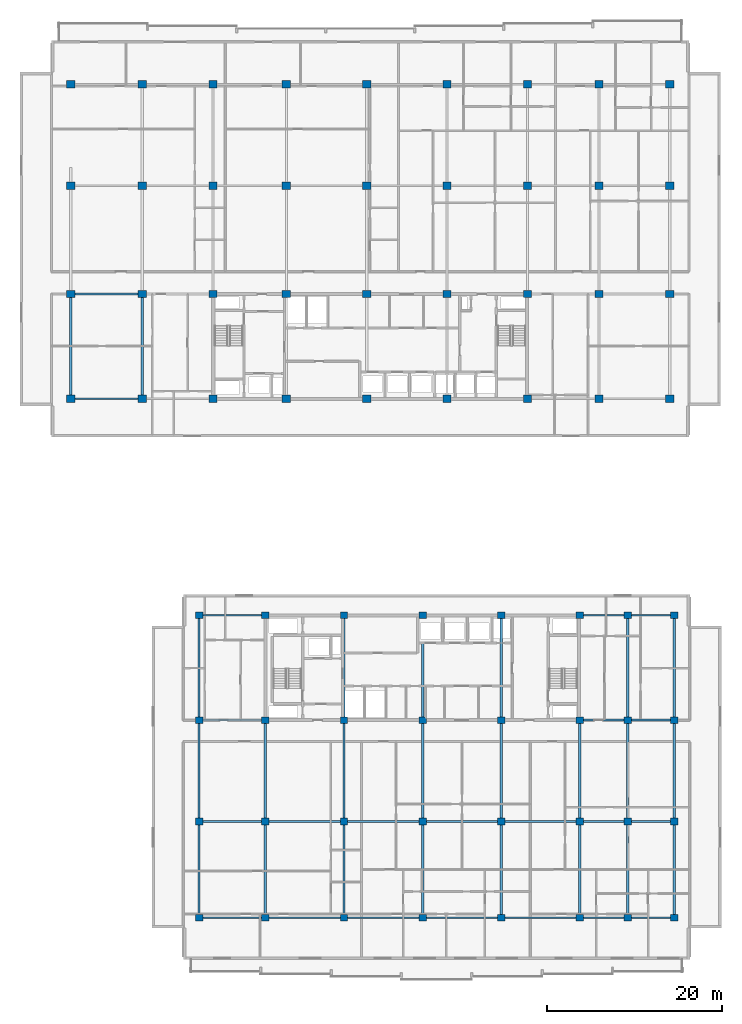
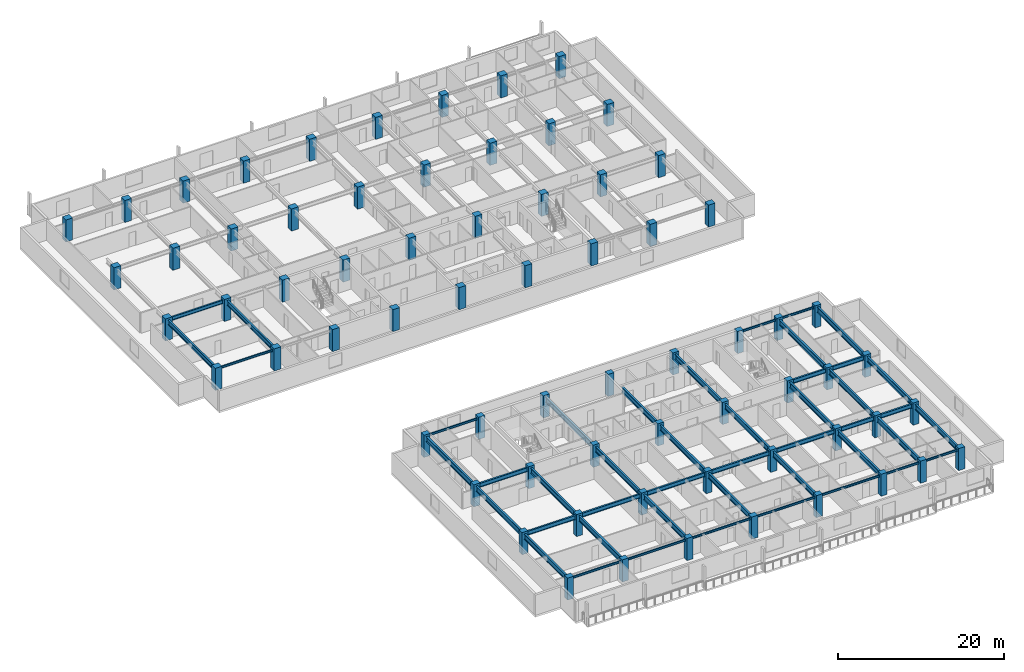
# One storey, part 1 of 21: 68 columns, 46 beams.
"""IFC4 building model written with IfcOpenShell, lengths in metres."""

from ifc_helpers import new_model, si_unit, direction, frame, origin, origin_2d, place, context, subcontext, project, spatial, rectangle, i_section, extrude, material, material_profile, profile_set, type_object, element, save


model = new_model("IFC4")

# Units and contexts
model_context = context("Model", 3, precision=1e-05, world=origin(), true_north=direction((0.0, 1.0)))
body_context = subcontext(model_context, "Body", "Model", "MODEL_VIEW")
ifc_project = project(units=[si_unit("LENGTHUNIT", "METRE"), si_unit("AREAUNIT", "SQUARE_METRE"), si_unit("VOLUMEUNIT", "CUBIC_METRE"), si_unit("PLANEANGLEUNIT", "RADIAN"), si_unit("MASSUNIT", "GRAM", prefix="KILO")], contexts=[model_context])

# Site, building, storey
site_placement = place(None, origin())
site = spatial("IfcSite", under=ifc_project, at=site_placement, CompositionType="ELEMENT")
building_placement = place(site_placement, origin())
building = spatial("IfcBuilding", under=site, at=building_placement, Name="Korimba Cascade Residences", CompositionType="ELEMENT")
storey_placement = place(building_placement, frame((0.0, 0.0, 116.550048828125)))
storey = spatial("IfcBuildingStorey", under=building, at=storey_placement, Name="L33", CompositionType="ELEMENT", Elevation=116.550048828125)

# Columns
ifc_material_1 = material(Name="Concrete C65/80", Category="concrete")
ifc_material_profile_1 = material_profile(ifc_material_1, rectangle(XDim=0.85009765625, YDim=0.75, at=origin_2d()), Name="Concrete C65/80")
ifc_profile_set_1 = profile_set([ifc_material_profile_1], Name="Concrete C65/80")
column_type_1 = type_object("IfcColumnType", Name="COL-RC-850", PredefinedType="COLUMN", material=ifc_profile_set_1)
for number, where, z_axis, x_axis, name in (
    (1, (74.5, -4.199951171875, 0.0), (0.0, 0.0, 1.0), (1.0, 0.0, 0.0), "L33 Tower 2 Column 1.1"),
    (2, (74.5, 6.800048828125, 0.0), (0.0, 0.0, 1.0), (1.0, 0.0, 0.0), "L33 Tower 2 Column 1.2"),
    (3, (74.5, 18.39990234375, 0.0), (0.0, 0.0, 1.0), (1.0, 0.0, 0.0), "L33 Tower 2 Column 1.3"),
    (4, (74.5, 30.39990234375, 0.0), (0.0, 0.0, 1.0), (1.0, 0.0, 0.0), "L33 Tower 2 Column 1.4"),
    (5, (82.10009765625, -4.199951171875, 0.0), (0.0, 0.0, 1.0), (1.0, 0.0, 0.0), "L33 Tower 2 Column 2.1"),
    (6, (82.10009765625, 6.800048828125, 0.0), (0.0, 0.0, 1.0), (1.0, 0.0, 0.0), "L33 Tower 2 Column 2.2"),
    (7, (82.10009765625, 18.39990234375, 0.0), (0.0, 0.0, 1.0), (1.0, 0.0, 0.0), "L33 Tower 2 Column 2.3"),
    (8, (82.10009765625, 30.39990234375, 0.0), (0.0, 0.0, 1.0), (1.0, 0.0, 0.0), "L33 Tower 2 Column 2.4"),
    (9, (91.10009765625, -4.199951171875, 0.0), (0.0, 0.0, 1.0), (1.0, 0.0, 0.0), "L33 Tower 2 Column 3.1"),
    (10, (91.10009765625, 6.800048828125, 0.0), (0.0, 0.0, 1.0), (1.0, 0.0, 0.0), "L33 Tower 2 Column 3.2"),
    (11, (91.10009765625, 18.39990234375, 0.0), (0.0, 0.0, 1.0), (1.0, 0.0, 0.0), "L33 Tower 2 Column 3.3"),
    (12, (91.10009765625, 30.39990234375, 0.0), (0.0, 0.0, 1.0), (1.0, 0.0, 0.0), "L33 Tower 2 Column 3.4"),
    (13, (100.10009765625, -4.199951171875, 0.0), (0.0, 0.0, 1.0), (1.0, 0.0, 0.0), "L33 Tower 2 Column 4.1"),
    (14, (100.10009765625, 6.800048828125, 0.0), (0.0, 0.0, 1.0), (1.0, 0.0, 0.0), "L33 Tower 2 Column 4.2"),
    (15, (100.10009765625, 18.39990234375, 0.0), (0.0, 0.0, 1.0), (1.0, 0.0, 0.0), "L33 Tower 2 Column 4.3"),
    (16, (100.10009765625, 30.39990234375, 0.0), (0.0, 0.0, 1.0), (1.0, 0.0, 0.0), "L33 Tower 2 Column 4.4"),
    (17, (109.10009765625, -4.199951171875, 0.0), (0.0, 0.0, 1.0), (1.0, 0.0, 0.0), "L33 Tower 2 Column 5.1"),
    (18, (109.10009765625, 6.800048828125, 0.0), (0.0, 0.0, 1.0), (1.0, 0.0, 0.0), "L33 Tower 2 Column 5.2"),
    (19, (109.10009765625, 18.39990234375, 0.0), (0.0, 0.0, 1.0), (1.0, 0.0, 0.0), "L33 Tower 2 Column 5.3"),
    (20, (109.10009765625, 30.39990234375, 0.0), (0.0, 0.0, 1.0), (1.0, 0.0, 0.0), "L33 Tower 2 Column 5.4"),
    (21, (118.10009765625, -4.199951171875, 0.0), (0.0, 0.0, 1.0), (1.0, 0.0, 0.0), "L33 Tower 2 Column 6.1"),
    (22, (118.10009765625, 6.800048828125, 0.0), (0.0, 0.0, 1.0), (1.0, 0.0, 0.0), "L33 Tower 2 Column 6.2"),
    (23, (118.10009765625, 18.39990234375, 0.0), (0.0, 0.0, 1.0), (1.0, 0.0, 0.0), "L33 Tower 2 Column 6.3"),
    (24, (118.10009765625, 30.39990234375, 0.0), (0.0, 0.0, 1.0), (1.0, 0.0, 0.0), "L33 Tower 2 Column 6.4"),
    (25, (123.60009765625, -4.199951171875, 0.0), (0.0, 0.0, 1.0), (1.0, 0.0, 0.0), "L33 Tower 2 Column 7.1"),
    (26, (123.60009765625, 6.800048828125, 0.0), (0.0, 0.0, 1.0), (1.0, 0.0, 0.0), "L33 Tower 2 Column 7.2"),
    (27, (123.60009765625, 18.39990234375, 0.0), (0.0, 0.0, 1.0), (1.0, 0.0, 0.0), "L33 Tower 2 Column 7.3"),
    (28, (123.60009765625, 30.39990234375, 0.0), (0.0, 0.0, 1.0), (1.0, 0.0, 0.0), "L33 Tower 2 Column 7.4"),
    (29, (128.89990234375, -4.199951171875, 0.0), (0.0, 0.0, 1.0), (1.0, 0.0, 0.0), "L33 Tower 2 Column 8.1"),
    (30, (128.89990234375, 6.800048828125, 0.0), (0.0, 0.0, 1.0), (1.0, 0.0, 0.0), "L33 Tower 2 Column 8.2"),
    (31, (128.89990234375, 18.39990234375, 0.0), (0.0, 0.0, 1.0), (1.0, 0.0, 0.0), "L33 Tower 2 Column 8.3"),
    (32, (128.89990234375, 30.39990234375, 0.0), (0.0, 0.0, 1.0), (1.0, 0.0, 0.0), "L33 Tower 2 Column 8.4"),
):
    element("IfcColumn", number, at=place(storey_placement, frame(where, z_axis=z_axis, x_axis=x_axis)), inside=storey, type_object=column_type_1, Name=name, PredefinedType="COLUMN", context=body_context, shape_type="SweptSolid", body=[
        extrude(rectangle(XDim=0.85009765625, YDim=0.75, at=origin_2d()), origin(), (0.0, 0.0, 1.0), 3.25),
    ])
ifc_material_profile_2 = material_profile(ifc_material_1, rectangle(XDim=0.949951171875, YDim=0.85009765625, at=origin_2d()), Name="Concrete C65/80")
ifc_profile_set_2 = profile_set([ifc_material_profile_2], Name="Concrete C65/80")
column_type_2 = type_object("IfcColumnType", Name="COL-RC-950", PredefinedType="COLUMN", material=ifc_profile_set_2)
for number, where, z_axis, x_axis, name in (
    (33, (59.800048828125, 55.199951171875, 0.0), (0.0, 0.0, 1.0), (1.0, 0.0, 0.0), "L33 Tower 1 Column 1.1"),
    (34, (59.800048828125, 67.199951171875, 0.0), (0.0, 0.0, 1.0), (1.0, 0.0, 0.0), "L33 Tower 1 Column 1.2"),
    (35, (59.800048828125, 79.60009765625, 0.0), (0.0, 0.0, 1.0), (1.0, 0.0, 0.0), "L33 Tower 1 Column 1.3"),
    (36, (59.800048828125, 91.199951171875, 0.0), (0.0, 0.0, 1.0), (1.0, 0.0, 0.0), "L33 Tower 1 Column 1.4"),
    (37, (68.0, 55.199951171875, 0.0), (0.0, 0.0, 1.0), (1.0, 0.0, 0.0), "L33 Tower 1 Column 2.1"),
    (38, (68.0, 67.199951171875, 0.0), (0.0, 0.0, 1.0), (1.0, 0.0, 0.0), "L33 Tower 1 Column 2.2"),
    (39, (68.0, 79.60009765625, 0.0), (0.0, 0.0, 1.0), (1.0, 0.0, 0.0), "L33 Tower 1 Column 2.3"),
    (40, (68.0, 91.199951171875, 0.0), (0.0, 0.0, 1.0), (1.0, 0.0, 0.0), "L33 Tower 1 Column 2.4"),
    (41, (76.10009765625, 55.199951171875, 0.0), (0.0, 0.0, 1.0), (1.0, 0.0, 0.0), "L33 Tower 1 Column 3.1"),
    (42, (76.10009765625, 67.199951171875, 0.0), (0.0, 0.0, 1.0), (1.0, 0.0, 0.0), "L33 Tower 1 Column 3.2"),
    (43, (76.10009765625, 79.60009765625, 0.0), (0.0, 0.0, 1.0), (1.0, 0.0, 0.0), "L33 Tower 1 Column 3.3"),
    (44, (76.10009765625, 91.199951171875, 0.0), (0.0, 0.0, 1.0), (1.0, 0.0, 0.0), "L33 Tower 1 Column 3.4"),
    (45, (84.5, 55.199951171875, 0.0), (0.0, 0.0, 1.0), (1.0, 0.0, 0.0), "L33 Tower 1 Column 4.1"),
    (46, (84.5, 67.199951171875, 0.0), (0.0, 0.0, 1.0), (1.0, 0.0, 0.0), "L33 Tower 1 Column 4.2"),
    (47, (84.5, 79.60009765625, 0.0), (0.0, 0.0, 1.0), (1.0, 0.0, 0.0), "L33 Tower 1 Column 4.3"),
    (48, (84.5, 91.199951171875, 0.0), (0.0, 0.0, 1.0), (1.0, 0.0, 0.0), "L33 Tower 1 Column 4.4"),
    (49, (93.699951171875, 55.199951171875, 0.0), (0.0, 0.0, 1.0), (1.0, 0.0, 0.0), "L33 Tower 1 Column 5.1"),
    (50, (93.699951171875, 67.199951171875, 0.0), (0.0, 0.0, 1.0), (1.0, 0.0, 0.0), "L33 Tower 1 Column 5.2"),
    (51, (93.699951171875, 79.60009765625, 0.0), (0.0, 0.0, 1.0), (1.0, 0.0, 0.0), "L33 Tower 1 Column 5.3"),
    (52, (93.699951171875, 91.199951171875, 0.0), (0.0, 0.0, 1.0), (1.0, 0.0, 0.0), "L33 Tower 1 Column 5.4"),
    (53, (102.89990234375, 55.199951171875, 0.0), (0.0, 0.0, 1.0), (1.0, 0.0, 0.0), "L33 Tower 1 Column 6.1"),
    (54, (102.89990234375, 67.199951171875, 0.0), (0.0, 0.0, 1.0), (1.0, 0.0, 0.0), "L33 Tower 1 Column 6.2"),
    (55, (102.89990234375, 79.60009765625, 0.0), (0.0, 0.0, 1.0), (1.0, 0.0, 0.0), "L33 Tower 1 Column 6.3"),
    (56, (102.89990234375, 91.199951171875, 0.0), (0.0, 0.0, 1.0), (1.0, 0.0, 0.0), "L33 Tower 1 Column 6.4"),
    (57, (112.10009765625, 55.199951171875, 0.0), (0.0, 0.0, 1.0), (1.0, 0.0, 0.0), "L33 Tower 1 Column 7.1"),
    (58, (112.10009765625, 67.199951171875, 0.0), (0.0, 0.0, 1.0), (1.0, 0.0, 0.0), "L33 Tower 1 Column 7.2"),
    (59, (112.10009765625, 79.60009765625, 0.0), (0.0, 0.0, 1.0), (1.0, 0.0, 0.0), "L33 Tower 1 Column 7.3"),
    (60, (112.10009765625, 91.199951171875, 0.0), (0.0, 0.0, 1.0), (1.0, 0.0, 0.0), "L33 Tower 1 Column 7.4"),
    (61, (120.300048828125, 55.199951171875, 0.0), (0.0, 0.0, 1.0), (1.0, 0.0, 0.0), "L33 Tower 1 Column 8.1"),
    (62, (120.300048828125, 67.199951171875, 0.0), (0.0, 0.0, 1.0), (1.0, 0.0, 0.0), "L33 Tower 1 Column 8.2"),
    (63, (120.300048828125, 79.60009765625, 0.0), (0.0, 0.0, 1.0), (1.0, 0.0, 0.0), "L33 Tower 1 Column 8.3"),
    (64, (120.300048828125, 91.199951171875, 0.0), (0.0, 0.0, 1.0), (1.0, 0.0, 0.0), "L33 Tower 1 Column 8.4"),
    (65, (128.39990234375, 55.199951171875, 0.0), (0.0, 0.0, 1.0), (1.0, 0.0, 0.0), "L33 Tower 1 Column 9.1"),
    (66, (128.39990234375, 67.199951171875, 0.0), (0.0, 0.0, 1.0), (1.0, 0.0, 0.0), "L33 Tower 1 Column 9.2"),
    (67, (128.39990234375, 79.60009765625, 0.0), (0.0, 0.0, 1.0), (1.0, 0.0, 0.0), "L33 Tower 1 Column 9.3"),
    (68, (128.39990234375, 91.199951171875, 0.0), (0.0, 0.0, 1.0), (1.0, 0.0, 0.0), "L33 Tower 1 Column 9.4"),
):
    element("IfcColumn", number, at=place(storey_placement, frame(where, z_axis=z_axis, x_axis=x_axis)), inside=storey, type_object=column_type_2, Name=name, PredefinedType="COLUMN", context=body_context, shape_type="SweptSolid", body=[
        extrude(rectangle(XDim=0.949951171875, YDim=0.85009765625, at=origin_2d()), origin(), (0.0, 0.0, 1.0), 3.25),
    ])

# Beams
ifc_material_2 = material(Name="Steel S355", Category="steel")
ifc_material_profile_3 = material_profile(ifc_material_2, i_section(OverallWidth=0.165771484375, OverallDepth=0.306640625, WebThickness=0.006591796875, FlangeThickness=0.01171875, FilletRadius=0.0087890625, at=origin_2d()), Name="Steel S355")
ifc_profile_set_3 = profile_set([ifc_material_profile_3], Name="Steel S355")
beam_type_1 = type_object("IfcBeamType", Name="BM-STL-UB305", PredefinedType="SPANDREL", material=ifc_profile_set_3)
beam_1_placement = place(storey_placement, frame((60.27490234375, 55.199951171875, 2.816650390625), z_axis=(1.0, 0.0, 0.0), x_axis=(0.0, 1.0, 0.0)))
element("IfcBeam", 69, at=beam_1_placement, inside=storey, type_object=beam_type_1, Name="L33 T1 E-W Girder Y1 Bay 1", PredefinedType="SPANDREL", context=body_context, shape_type="SweptSolid", body=[
    extrude(i_section(OverallWidth=0.165771484375, OverallDepth=0.306640625, WebThickness=0.006591796875, FlangeThickness=0.01171875, FilletRadius=0.0087890625, at=origin_2d()), origin(), (0.0, 0.0, 1.0), 7.25),
])
beam_2_placement = place(storey_placement, frame((74.925048828125, -4.199951171875, 2.816650390625), z_axis=(1.0, 0.0, 0.0), x_axis=(0.0, 1.0, 0.0)))
element("IfcBeam", 70, at=beam_2_placement, inside=storey, type_object=beam_type_1, Name="L33 T2 E-W Girder Y1 Bay 1", PredefinedType="SPANDREL", context=body_context, shape_type="SweptSolid", body=[
    extrude(i_section(OverallWidth=0.165771484375, OverallDepth=0.306640625, WebThickness=0.006591796875, FlangeThickness=0.01171875, FilletRadius=0.0087890625, at=origin_2d()), origin(), (0.0, 0.0, 1.0), 6.75),
])
for number, where, z_axis, x_axis, name in (
    (71, (82.52490234375, -4.199951171875, 2.816650390625), (1.0, 0.0, 0.0), (0.0, 1.0, 0.0), "L33 T2 E-W Girder Y1 Bay 2"),
    (72, (91.52490234375, -4.199951171875, 2.816650390625), (1.0, 0.0, 0.0), (0.0, 1.0, 0.0), "L33 T2 E-W Girder Y1 Bay 3"),
    (73, (100.52490234375, -4.199951171875, 2.816650390625), (1.0, 0.0, 0.0), (0.0, 1.0, 0.0), "L33 T2 E-W Girder Y1 Bay 4"),
    (74, (109.52490234375, -4.199951171875, 2.816650390625), (1.0, 0.0, 0.0), (0.0, 1.0, 0.0), "L33 T2 E-W Girder Y1 Bay 5"),
):
    element("IfcBeam", number, at=place(storey_placement, frame(where, z_axis=z_axis, x_axis=x_axis)), inside=storey, type_object=beam_type_1, Name=name, PredefinedType="SPANDREL", context=body_context, shape_type="SweptSolid", body=[
        extrude(i_section(OverallWidth=0.165771484375, OverallDepth=0.306640625, WebThickness=0.006591796875, FlangeThickness=0.01171875, FilletRadius=0.0087890625, at=origin_2d()), origin(), (0.0, 0.0, 1.0), 8.150146484375),
    ])
beam_3_placement = place(storey_placement, frame((118.52490234375, -4.199951171875, 2.816650390625), z_axis=(1.0, 0.0, 0.0), x_axis=(0.0, 1.0, 0.0)))
element("IfcBeam", 75, at=beam_3_placement, inside=storey, type_object=beam_type_1, Name="L33 T2 E-W Girder Y1 Bay 6", PredefinedType="SPANDREL", context=body_context, shape_type="SweptSolid", body=[
    extrude(i_section(OverallWidth=0.165771484375, OverallDepth=0.306640625, WebThickness=0.006591796875, FlangeThickness=0.01171875, FilletRadius=0.0087890625, at=origin_2d()), origin(), (0.0, 0.0, 1.0), 4.650146484375),
])
beam_4_placement = place(storey_placement, frame((124.02490234375, -4.199951171875, 2.816650390625), z_axis=(1.0, 0.0, 0.0), x_axis=(0.0, 1.0, 0.0)))
element("IfcBeam", 76, at=beam_4_placement, inside=storey, type_object=beam_type_1, Name="L33 T2 E-W Girder Y1 Bay 7", PredefinedType="SPANDREL", context=body_context, shape_type="SweptSolid", body=[
    extrude(i_section(OverallWidth=0.165771484375, OverallDepth=0.306640625, WebThickness=0.006591796875, FlangeThickness=0.01171875, FilletRadius=0.0087890625, at=origin_2d()), origin(), (0.0, 0.0, 1.0), 4.4501953125),
])
beam_5_placement = place(storey_placement, frame((74.925048828125, 30.39990234375, 2.816650390625), z_axis=(1.0, 0.0, 0.0), x_axis=(0.0, 1.0, 0.0)))
element("IfcBeam", 77, at=beam_5_placement, inside=storey, type_object=beam_type_1, Name="L33 T2 E-W Girder Y4 Bay 1", PredefinedType="SPANDREL", context=body_context, shape_type="SweptSolid", body=[
    extrude(i_section(OverallWidth=0.165771484375, OverallDepth=0.306640625, WebThickness=0.006591796875, FlangeThickness=0.01171875, FilletRadius=0.0087890625, at=origin_2d()), origin(), (0.0, 0.0, 1.0), 6.75),
])
beam_6_placement = place(storey_placement, frame((118.52490234375, 30.39990234375, 2.816650390625), z_axis=(1.0, 0.0, 0.0), x_axis=(0.0, 1.0, 0.0)))
element("IfcBeam", 78, at=beam_6_placement, inside=storey, type_object=beam_type_1, Name="L33 T2 E-W Girder Y4 Bay 6", PredefinedType="SPANDREL", context=body_context, shape_type="SweptSolid", body=[
    extrude(i_section(OverallWidth=0.165771484375, OverallDepth=0.306640625, WebThickness=0.006591796875, FlangeThickness=0.01171875, FilletRadius=0.0087890625, at=origin_2d()), origin(), (0.0, 0.0, 1.0), 4.650146484375),
])
beam_7_placement = place(storey_placement, frame((124.02490234375, 30.39990234375, 2.816650390625), z_axis=(1.0, 0.0, 0.0), x_axis=(0.0, 1.0, 0.0)))
element("IfcBeam", 79, at=beam_7_placement, inside=storey, type_object=beam_type_1, Name="L33 T2 E-W Girder Y4 Bay 7", PredefinedType="SPANDREL", context=body_context, shape_type="SweptSolid", body=[
    extrude(i_section(OverallWidth=0.165771484375, OverallDepth=0.306640625, WebThickness=0.006591796875, FlangeThickness=0.01171875, FilletRadius=0.0087890625, at=origin_2d()), origin(), (0.0, 0.0, 1.0), 4.4501953125),
])
ifc_material_profile_4 = material_profile(ifc_material_2, i_section(OverallWidth=0.2099609375, OverallDepth=0.53662109375, WebThickness=0.0107421875, FlangeThickness=0.017333984375, FilletRadius=0.0126953125, at=origin_2d()), Name="Steel S355")
ifc_profile_set_4 = profile_set([ifc_material_profile_4], Name="Steel S355")
beam_type_2 = type_object("IfcBeamType", Name="BM-STL-UB533", PredefinedType="BEAM", material=ifc_profile_set_4)
beam_8_placement = place(storey_placement, frame((60.27490234375, 67.199951171875, 2.70166015625), z_axis=(1.0, 0.0, 0.0), x_axis=(0.0, 1.0, 0.0)))
element("IfcBeam", 80, at=beam_8_placement, inside=storey, type_object=beam_type_2, Name="L33 T1 E-W Girder Y2 Bay 1", PredefinedType="BEAM", context=body_context, shape_type="SweptSolid", body=[
    extrude(i_section(OverallWidth=0.2099609375, OverallDepth=0.53662109375, WebThickness=0.0107421875, FlangeThickness=0.017333984375, FilletRadius=0.0126953125, at=origin_2d()), origin(), (0.0, 0.0, 1.0), 7.25),
])
ifc_material_profile_5 = material_profile(ifc_material_2, i_section(OverallWidth=0.22900390625, OverallDepth=0.6123046875, WebThickness=0.011962890625, FlangeThickness=0.01953125, FilletRadius=0.0126953125, at=origin_2d()), Name="Steel S355")
ifc_profile_set_5 = profile_set([ifc_material_profile_5], Name="Steel S355")
beam_type_3 = type_object("IfcBeamType", Name="BM-STL-UB610B", PredefinedType="BEAM", material=ifc_profile_set_5)
beam_9_placement = place(storey_placement, frame((74.925048828125, 6.800048828125, 2.663818359375), z_axis=(1.0, 0.0, 0.0), x_axis=(0.0, 1.0, 0.0)))
element("IfcBeam", 81, at=beam_9_placement, inside=storey, type_object=beam_type_3, Name="L33 T2 E-W Girder Y2 Bay 1", PredefinedType="BEAM", context=body_context, shape_type="SweptSolid", body=[
    extrude(i_section(OverallWidth=0.22900390625, OverallDepth=0.6123046875, WebThickness=0.011962890625, FlangeThickness=0.01953125, FilletRadius=0.0126953125, at=origin_2d()), origin(), (0.0, 0.0, 1.0), 6.75),
])
for number, where, z_axis, x_axis, name in (
    (82, (82.52490234375, 6.800048828125, 2.663818359375), (1.0, 0.0, 0.0), (0.0, 1.0, 0.0), "L33 T2 E-W Girder Y2 Bay 2"),
    (83, (91.52490234375, 6.800048828125, 2.663818359375), (1.0, 0.0, 0.0), (0.0, 1.0, 0.0), "L33 T2 E-W Girder Y2 Bay 3"),
    (84, (100.52490234375, 6.800048828125, 2.663818359375), (1.0, 0.0, 0.0), (0.0, 1.0, 0.0), "L33 T2 E-W Girder Y2 Bay 4"),
    (85, (109.52490234375, 6.800048828125, 2.663818359375), (1.0, 0.0, 0.0), (0.0, 1.0, 0.0), "L33 T2 E-W Girder Y2 Bay 5"),
):
    element("IfcBeam", number, at=place(storey_placement, frame(where, z_axis=z_axis, x_axis=x_axis)), inside=storey, type_object=beam_type_3, Name=name, PredefinedType="BEAM", context=body_context, shape_type="SweptSolid", body=[
        extrude(i_section(OverallWidth=0.22900390625, OverallDepth=0.6123046875, WebThickness=0.011962890625, FlangeThickness=0.01953125, FilletRadius=0.0126953125, at=origin_2d()), origin(), (0.0, 0.0, 1.0), 8.150146484375),
    ])
beam_10_placement = place(storey_placement, frame((118.52490234375, 6.800048828125, 2.663818359375), z_axis=(1.0, 0.0, 0.0), x_axis=(0.0, 1.0, 0.0)))
element("IfcBeam", 86, at=beam_10_placement, inside=storey, type_object=beam_type_3, Name="L33 T2 E-W Girder Y2 Bay 6", PredefinedType="BEAM", context=body_context, shape_type="SweptSolid", body=[
    extrude(i_section(OverallWidth=0.22900390625, OverallDepth=0.6123046875, WebThickness=0.011962890625, FlangeThickness=0.01953125, FilletRadius=0.0126953125, at=origin_2d()), origin(), (0.0, 0.0, 1.0), 4.650146484375),
])
beam_11_placement = place(storey_placement, frame((124.02490234375, 6.800048828125, 2.663818359375), z_axis=(1.0, 0.0, 0.0), x_axis=(0.0, 1.0, 0.0)))
element("IfcBeam", 87, at=beam_11_placement, inside=storey, type_object=beam_type_3, Name="L33 T2 E-W Girder Y2 Bay 7", PredefinedType="BEAM", context=body_context, shape_type="SweptSolid", body=[
    extrude(i_section(OverallWidth=0.22900390625, OverallDepth=0.6123046875, WebThickness=0.011962890625, FlangeThickness=0.01953125, FilletRadius=0.0126953125, at=origin_2d()), origin(), (0.0, 0.0, 1.0), 4.4501953125),
])
beam_12_placement = place(storey_placement, frame((74.925048828125, 18.39990234375, 2.663818359375), z_axis=(1.0, 0.0, 0.0), x_axis=(0.0, 1.0, 0.0)))
element("IfcBeam", 88, at=beam_12_placement, inside=storey, type_object=beam_type_3, Name="L33 T2 E-W Girder Y3 Bay 1", PredefinedType="BEAM", context=body_context, shape_type="SweptSolid", body=[
    extrude(i_section(OverallWidth=0.22900390625, OverallDepth=0.6123046875, WebThickness=0.011962890625, FlangeThickness=0.01953125, FilletRadius=0.0126953125, at=origin_2d()), origin(), (0.0, 0.0, 1.0), 6.75),
])
beam_13_placement = place(storey_placement, frame((118.52490234375, 18.39990234375, 2.663818359375), z_axis=(1.0, 0.0, 0.0), x_axis=(0.0, 1.0, 0.0)))
element("IfcBeam", 89, at=beam_13_placement, inside=storey, type_object=beam_type_3, Name="L33 T2 E-W Girder Y3 Bay 6", PredefinedType="BEAM", context=body_context, shape_type="SweptSolid", body=[
    extrude(i_section(OverallWidth=0.22900390625, OverallDepth=0.6123046875, WebThickness=0.011962890625, FlangeThickness=0.01953125, FilletRadius=0.0126953125, at=origin_2d()), origin(), (0.0, 0.0, 1.0), 4.650146484375),
])
beam_14_placement = place(storey_placement, frame((124.02490234375, 18.39990234375, 2.663818359375), z_axis=(1.0, 0.0, 0.0), x_axis=(0.0, 1.0, 0.0)))
element("IfcBeam", 90, at=beam_14_placement, inside=storey, type_object=beam_type_3, Name="L33 T2 E-W Girder Y3 Bay 7", PredefinedType="BEAM", context=body_context, shape_type="SweptSolid", body=[
    extrude(i_section(OverallWidth=0.22900390625, OverallDepth=0.6123046875, WebThickness=0.011962890625, FlangeThickness=0.01953125, FilletRadius=0.0126953125, at=origin_2d()), origin(), (0.0, 0.0, 1.0), 4.4501953125),
])
ifc_material_profile_6 = material_profile(ifc_material_2, i_section(OverallWidth=0.255859375, OverallDepth=0.69287109375, WebThickness=0.014404296875, FlangeThickness=0.023681640625, FilletRadius=0.01513671875, at=origin_2d()), Name="Steel S355")
ifc_profile_set_6 = profile_set([ifc_material_profile_6], Name="Steel S355")
beam_type_4 = type_object("IfcBeamType", Name="BM-STL-UB686", PredefinedType="BEAM", material=ifc_profile_set_6)
for number, where, z_axis, x_axis, name in (
    (91, (59.800048828125, 55.625, 2.62353515625), (0.0, 1.0, 0.0), (-1.0, 0.0, 0.0), "L33 T1 N-S Girder X1 Seg 1"),
    (92, (68.0, 55.625, 2.62353515625), (0.0, 1.0, 0.0), (-1.0, 0.0, 0.0), "L33 T1 N-S Girder X2 Seg 1"),
):
    element("IfcBeam", number, at=place(storey_placement, frame(where, z_axis=z_axis, x_axis=x_axis)), inside=storey, type_object=beam_type_4, Name=name, PredefinedType="BEAM", context=body_context, shape_type="SweptSolid", body=[
        extrude(i_section(OverallWidth=0.255859375, OverallDepth=0.69287109375, WebThickness=0.014404296875, FlangeThickness=0.023681640625, FilletRadius=0.01513671875, at=origin_2d()), origin(), (0.0, 0.0, 1.0), 11.14990234375),
    ])
ifc_material_profile_7 = material_profile(ifc_material_2, i_section(OverallWidth=0.26806640625, OverallDepth=0.769775390625, WebThickness=0.015625, FlangeThickness=0.025390625, FilletRadius=0.0166015625, at=origin_2d()), Name="Steel S355")
ifc_profile_set_7 = profile_set([ifc_material_profile_7], Name="Steel S355")
beam_type_5 = type_object("IfcBeamType", Name="BM-STL-UB762", PredefinedType="BEAM", material=ifc_profile_set_7)
beam_15_placement = place(storey_placement, frame((74.5, -3.824951171875, 2.5849609375), z_axis=(0.0, 1.0, 0.0), x_axis=(-1.0, 0.0, 0.0)))
element("IfcBeam", 93, at=beam_15_placement, inside=storey, type_object=beam_type_5, Name="L33 T2 N-S Girder X1 Seg 1", PredefinedType="BEAM", context=body_context, shape_type="SweptSolid", body=[
    extrude(i_section(OverallWidth=0.26806640625, OverallDepth=0.769775390625, WebThickness=0.015625, FlangeThickness=0.025390625, FilletRadius=0.0166015625, at=origin_2d()), origin(), (0.0, 0.0, 1.0), 10.25),
])
beam_16_placement = place(storey_placement, frame((74.5, 7.175048828125, 2.5849609375), z_axis=(0.0, 1.0, 0.0), x_axis=(-1.0, 0.0, 0.0)))
element("IfcBeam", 94, at=beam_16_placement, inside=storey, type_object=beam_type_5, Name="L33 T2 N-S Girder X1 Seg 2", PredefinedType="BEAM", context=body_context, shape_type="SweptSolid", body=[
    extrude(i_section(OverallWidth=0.26806640625, OverallDepth=0.769775390625, WebThickness=0.015625, FlangeThickness=0.025390625, FilletRadius=0.0166015625, at=origin_2d()), origin(), (0.0, 0.0, 1.0), 10.849853515625),
])
beam_17_placement = place(storey_placement, frame((74.5, 18.77490234375, 2.5849609375), z_axis=(0.0, 1.0, 0.0), x_axis=(-1.0, 0.0, 0.0)))
element("IfcBeam", 95, at=beam_17_placement, inside=storey, type_object=beam_type_5, Name="L33 T2 N-S Girder X1 Seg 3", PredefinedType="BEAM", context=body_context, shape_type="SweptSolid", body=[
    extrude(i_section(OverallWidth=0.26806640625, OverallDepth=0.769775390625, WebThickness=0.015625, FlangeThickness=0.025390625, FilletRadius=0.0166015625, at=origin_2d()), origin(), (0.0, 0.0, 1.0), 11.25),
])
beam_18_placement = place(storey_placement, frame((82.10009765625, -3.824951171875, 2.5849609375), z_axis=(0.0, 1.0, 0.0), x_axis=(-1.0, 0.0, 0.0)))
element("IfcBeam", 96, at=beam_18_placement, inside=storey, type_object=beam_type_5, Name="L33 T2 N-S Girder X2 Seg 1", PredefinedType="BEAM", context=body_context, shape_type="SweptSolid", body=[
    extrude(i_section(OverallWidth=0.26806640625, OverallDepth=0.769775390625, WebThickness=0.015625, FlangeThickness=0.025390625, FilletRadius=0.0166015625, at=origin_2d()), origin(), (0.0, 0.0, 1.0), 10.25),
])
beam_19_placement = place(storey_placement, frame((82.10009765625, 7.175048828125, 2.5849609375), z_axis=(0.0, 1.0, 0.0), x_axis=(-1.0, 0.0, 0.0)))
element("IfcBeam", 97, at=beam_19_placement, inside=storey, type_object=beam_type_5, Name="L33 T2 N-S Girder X2 Seg 2", PredefinedType="BEAM", context=body_context, shape_type="SweptSolid", body=[
    extrude(i_section(OverallWidth=0.26806640625, OverallDepth=0.769775390625, WebThickness=0.015625, FlangeThickness=0.025390625, FilletRadius=0.0166015625, at=origin_2d()), origin(), (0.0, 0.0, 1.0), 10.849853515625),
])
beam_20_placement = place(storey_placement, frame((91.10009765625, -3.824951171875, 2.5849609375), z_axis=(0.0, 1.0, 0.0), x_axis=(-1.0, 0.0, 0.0)))
element("IfcBeam", 98, at=beam_20_placement, inside=storey, type_object=beam_type_5, Name="L33 T2 N-S Girder X3 Seg 1", PredefinedType="BEAM", context=body_context, shape_type="SweptSolid", body=[
    extrude(i_section(OverallWidth=0.26806640625, OverallDepth=0.769775390625, WebThickness=0.015625, FlangeThickness=0.025390625, FilletRadius=0.0166015625, at=origin_2d()), origin(), (0.0, 0.0, 1.0), 10.25),
])
beam_21_placement = place(storey_placement, frame((91.10009765625, 7.175048828125, 2.5849609375), z_axis=(0.0, 1.0, 0.0), x_axis=(-1.0, 0.0, 0.0)))
element("IfcBeam", 99, at=beam_21_placement, inside=storey, type_object=beam_type_5, Name="L33 T2 N-S Girder X3 Seg 2", PredefinedType="BEAM", context=body_context, shape_type="SweptSolid", body=[
    extrude(i_section(OverallWidth=0.26806640625, OverallDepth=0.769775390625, WebThickness=0.015625, FlangeThickness=0.025390625, FilletRadius=0.0166015625, at=origin_2d()), origin(), (0.0, 0.0, 1.0), 10.849853515625),
])
beam_22_placement = place(storey_placement, frame((91.10009765625, 18.77490234375, 2.5849609375), z_axis=(0.0, 1.0, 0.0), x_axis=(-1.0, 0.0, 0.0)))
element("IfcBeam", 100, at=beam_22_placement, inside=storey, type_object=beam_type_5, Name="L33 T2 N-S Girder X3 Seg 3", PredefinedType="BEAM", context=body_context, shape_type="SweptSolid", body=[
    extrude(i_section(OverallWidth=0.26806640625, OverallDepth=0.769775390625, WebThickness=0.015625, FlangeThickness=0.025390625, FilletRadius=0.0166015625, at=origin_2d()), origin(), (0.0, 0.0, 1.0), 11.25),
])
beam_23_placement = place(storey_placement, frame((100.10009765625, -3.824951171875, 2.5849609375), z_axis=(0.0, 1.0, 0.0), x_axis=(-1.0, 0.0, 0.0)))
element("IfcBeam", 101, at=beam_23_placement, inside=storey, type_object=beam_type_5, Name="L33 T2 N-S Girder X4 Seg 1", PredefinedType="BEAM", context=body_context, shape_type="SweptSolid", body=[
    extrude(i_section(OverallWidth=0.26806640625, OverallDepth=0.769775390625, WebThickness=0.015625, FlangeThickness=0.025390625, FilletRadius=0.0166015625, at=origin_2d()), origin(), (0.0, 0.0, 1.0), 10.25),
])
beam_24_placement = place(storey_placement, frame((100.10009765625, 7.175048828125, 2.5849609375), z_axis=(0.0, 1.0, 0.0), x_axis=(-1.0, 0.0, 0.0)))
element("IfcBeam", 102, at=beam_24_placement, inside=storey, type_object=beam_type_5, Name="L33 T2 N-S Girder X4 Seg 2", PredefinedType="BEAM", context=body_context, shape_type="SweptSolid", body=[
    extrude(i_section(OverallWidth=0.26806640625, OverallDepth=0.769775390625, WebThickness=0.015625, FlangeThickness=0.025390625, FilletRadius=0.0166015625, at=origin_2d()), origin(), (0.0, 0.0, 1.0), 10.849853515625),
])
beam_25_placement = place(storey_placement, frame((100.10009765625, 18.77490234375, 2.5849609375), z_axis=(0.0, 1.0, 0.0), x_axis=(-1.0, 0.0, 0.0)))
element("IfcBeam", 103, at=beam_25_placement, inside=storey, type_object=beam_type_5, Name="L33 T2 N-S Girder X4 Seg 3", PredefinedType="BEAM", context=body_context, shape_type="SweptSolid", body=[
    extrude(i_section(OverallWidth=0.26806640625, OverallDepth=0.769775390625, WebThickness=0.015625, FlangeThickness=0.025390625, FilletRadius=0.0166015625, at=origin_2d()), origin(), (0.0, 0.0, 1.0), 8.565185546875),
])
beam_26_placement = place(storey_placement, frame((109.10009765625, -3.824951171875, 2.5849609375), z_axis=(0.0, 1.0, 0.0), x_axis=(-1.0, 0.0, 0.0)))
element("IfcBeam", 104, at=beam_26_placement, inside=storey, type_object=beam_type_5, Name="L33 T2 N-S Girder X5 Seg 1", PredefinedType="BEAM", context=body_context, shape_type="SweptSolid", body=[
    extrude(i_section(OverallWidth=0.26806640625, OverallDepth=0.769775390625, WebThickness=0.015625, FlangeThickness=0.025390625, FilletRadius=0.0166015625, at=origin_2d()), origin(), (0.0, 0.0, 1.0), 10.25),
])
beam_27_placement = place(storey_placement, frame((109.10009765625, 7.175048828125, 2.5849609375), z_axis=(0.0, 1.0, 0.0), x_axis=(-1.0, 0.0, 0.0)))
element("IfcBeam", 105, at=beam_27_placement, inside=storey, type_object=beam_type_5, Name="L33 T2 N-S Girder X5 Seg 2", PredefinedType="BEAM", context=body_context, shape_type="SweptSolid", body=[
    extrude(i_section(OverallWidth=0.26806640625, OverallDepth=0.769775390625, WebThickness=0.015625, FlangeThickness=0.025390625, FilletRadius=0.0166015625, at=origin_2d()), origin(), (0.0, 0.0, 1.0), 10.849853515625),
])
beam_28_placement = place(storey_placement, frame((109.10009765625, 18.77490234375, 2.5849609375), z_axis=(0.0, 1.0, 0.0), x_axis=(-1.0, 0.0, 0.0)))
element("IfcBeam", 106, at=beam_28_placement, inside=storey, type_object=beam_type_5, Name="L33 T2 N-S Girder X5 Seg 3", PredefinedType="BEAM", context=body_context, shape_type="SweptSolid", body=[
    extrude(i_section(OverallWidth=0.26806640625, OverallDepth=0.769775390625, WebThickness=0.015625, FlangeThickness=0.025390625, FilletRadius=0.0166015625, at=origin_2d()), origin(), (0.0, 0.0, 1.0), 11.25),
])
beam_29_placement = place(storey_placement, frame((118.10009765625, -3.824951171875, 2.5849609375), z_axis=(0.0, 1.0, 0.0), x_axis=(-1.0, 0.0, 0.0)))
element("IfcBeam", 107, at=beam_29_placement, inside=storey, type_object=beam_type_5, Name="L33 T2 N-S Girder X6 Seg 1", PredefinedType="BEAM", context=body_context, shape_type="SweptSolid", body=[
    extrude(i_section(OverallWidth=0.26806640625, OverallDepth=0.769775390625, WebThickness=0.015625, FlangeThickness=0.025390625, FilletRadius=0.0166015625, at=origin_2d()), origin(), (0.0, 0.0, 1.0), 10.25),
])
beam_30_placement = place(storey_placement, frame((118.10009765625, 7.175048828125, 2.5849609375), z_axis=(0.0, 1.0, 0.0), x_axis=(-1.0, 0.0, 0.0)))
element("IfcBeam", 108, at=beam_30_placement, inside=storey, type_object=beam_type_5, Name="L33 T2 N-S Girder X6 Seg 2", PredefinedType="BEAM", context=body_context, shape_type="SweptSolid", body=[
    extrude(i_section(OverallWidth=0.26806640625, OverallDepth=0.769775390625, WebThickness=0.015625, FlangeThickness=0.025390625, FilletRadius=0.0166015625, at=origin_2d()), origin(), (0.0, 0.0, 1.0), 10.849853515625),
])
beam_31_placement = place(storey_placement, frame((123.60009765625, -3.824951171875, 2.5849609375), z_axis=(0.0, 1.0, 0.0), x_axis=(-1.0, 0.0, 0.0)))
element("IfcBeam", 109, at=beam_31_placement, inside=storey, type_object=beam_type_5, Name="L33 T2 N-S Girder X7 Seg 1", PredefinedType="BEAM", context=body_context, shape_type="SweptSolid", body=[
    extrude(i_section(OverallWidth=0.26806640625, OverallDepth=0.769775390625, WebThickness=0.015625, FlangeThickness=0.025390625, FilletRadius=0.0166015625, at=origin_2d()), origin(), (0.0, 0.0, 1.0), 10.25),
])
beam_32_placement = place(storey_placement, frame((123.60009765625, 7.175048828125, 2.5849609375), z_axis=(0.0, 1.0, 0.0), x_axis=(-1.0, 0.0, 0.0)))
element("IfcBeam", 110, at=beam_32_placement, inside=storey, type_object=beam_type_5, Name="L33 T2 N-S Girder X7 Seg 2", PredefinedType="BEAM", context=body_context, shape_type="SweptSolid", body=[
    extrude(i_section(OverallWidth=0.26806640625, OverallDepth=0.769775390625, WebThickness=0.015625, FlangeThickness=0.025390625, FilletRadius=0.0166015625, at=origin_2d()), origin(), (0.0, 0.0, 1.0), 10.849853515625),
])
beam_33_placement = place(storey_placement, frame((123.60009765625, 18.77490234375, 2.5849609375), z_axis=(0.0, 1.0, 0.0), x_axis=(-1.0, 0.0, 0.0)))
element("IfcBeam", 111, at=beam_33_placement, inside=storey, type_object=beam_type_5, Name="L33 T2 N-S Girder X7 Seg 3", PredefinedType="BEAM", context=body_context, shape_type="SweptSolid", body=[
    extrude(i_section(OverallWidth=0.26806640625, OverallDepth=0.769775390625, WebThickness=0.015625, FlangeThickness=0.025390625, FilletRadius=0.0166015625, at=origin_2d()), origin(), (0.0, 0.0, 1.0), 11.25),
])
beam_34_placement = place(storey_placement, frame((128.89990234375, -3.824951171875, 2.5849609375), z_axis=(0.0, 1.0, 0.0), x_axis=(-1.0, 0.0, 0.0)))
element("IfcBeam", 112, at=beam_34_placement, inside=storey, type_object=beam_type_5, Name="L33 T2 N-S Girder X8 Seg 1", PredefinedType="BEAM", context=body_context, shape_type="SweptSolid", body=[
    extrude(i_section(OverallWidth=0.26806640625, OverallDepth=0.769775390625, WebThickness=0.015625, FlangeThickness=0.025390625, FilletRadius=0.0166015625, at=origin_2d()), origin(), (0.0, 0.0, 1.0), 10.25),
])
beam_35_placement = place(storey_placement, frame((128.89990234375, 7.175048828125, 2.5849609375), z_axis=(0.0, 1.0, 0.0), x_axis=(-1.0, 0.0, 0.0)))
element("IfcBeam", 113, at=beam_35_placement, inside=storey, type_object=beam_type_5, Name="L33 T2 N-S Girder X8 Seg 2", PredefinedType="BEAM", context=body_context, shape_type="SweptSolid", body=[
    extrude(i_section(OverallWidth=0.26806640625, OverallDepth=0.769775390625, WebThickness=0.015625, FlangeThickness=0.025390625, FilletRadius=0.0166015625, at=origin_2d()), origin(), (0.0, 0.0, 1.0), 10.849853515625),
])
beam_36_placement = place(storey_placement, frame((128.89990234375, 18.77490234375, 2.5849609375), z_axis=(0.0, 1.0, 0.0), x_axis=(-1.0, 0.0, 0.0)))
element("IfcBeam", 114, at=beam_36_placement, inside=storey, type_object=beam_type_5, Name="L33 T2 N-S Girder X8 Seg 3", PredefinedType="BEAM", context=body_context, shape_type="SweptSolid", body=[
    extrude(i_section(OverallWidth=0.26806640625, OverallDepth=0.769775390625, WebThickness=0.015625, FlangeThickness=0.025390625, FilletRadius=0.0166015625, at=origin_2d()), origin(), (0.0, 0.0, 1.0), 11.25),
])

save(model, "model.ifc")
